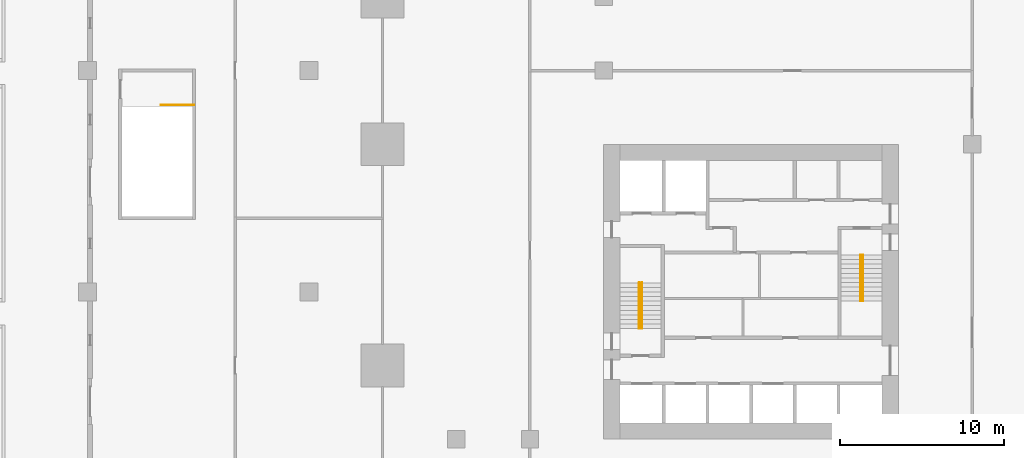
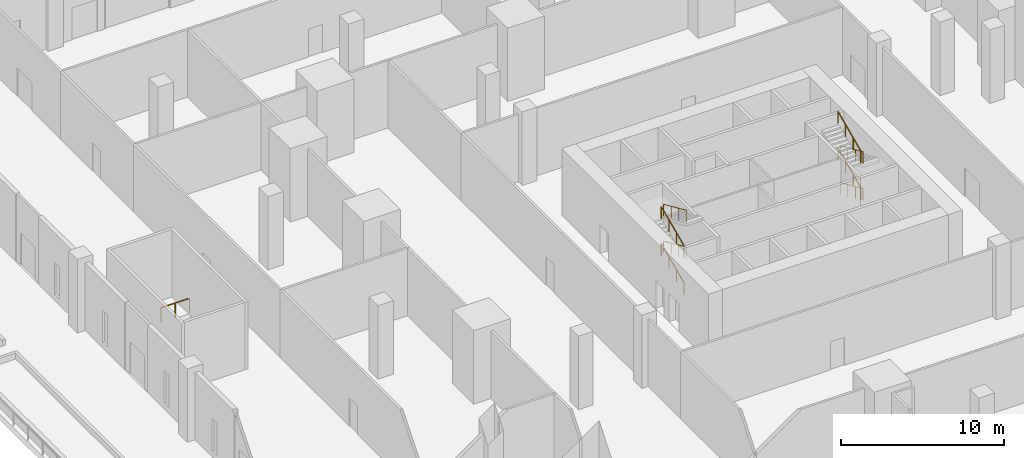
# One storey, part 42 of 47: 9 railings.
"""IFC4 building model written with IfcOpenShell, lengths in metres."""

from ifc_helpers import new_model, si_unit, direction, frame, origin, origin_2d, place, context, subcontext, project, spatial, circle, extrude, source, transform, mapped, material, type_object, element, save


model = new_model("IFC4")

# Units and contexts
model_context = context("Model", 3, precision=1e-05, world=origin(), true_north=direction((0.0, 1.0)))
body_context = subcontext(model_context, "Body", "Model", "MODEL_VIEW")
ifc_project = project(units=[si_unit("LENGTHUNIT", "METRE"), si_unit("AREAUNIT", "SQUARE_METRE"), si_unit("VOLUMEUNIT", "CUBIC_METRE"), si_unit("PLANEANGLEUNIT", "RADIAN"), si_unit("MASSUNIT", "GRAM", prefix="KILO")], contexts=[model_context])

# Site, building, storey
site_placement = place(None, origin())
site = spatial("IfcSite", under=ifc_project, at=site_placement, CompositionType="ELEMENT")
building_placement = place(site_placement, origin())
building = spatial("IfcBuilding", under=site, at=building_placement, Name="Altepetl Exchange Towers", CompositionType="ELEMENT")
storey_placement = place(building_placement, frame((0.0, 0.0, 6.0)))
storey = spatial("IfcBuildingStorey", under=building, at=storey_placement, Name="L01 Retail podium", CompositionType="ELEMENT", Elevation=6.0)

# Railings
ifc_material_1 = material(Name="Steel", Category="steel")
railing_type_1 = type_object("IfcRailingType", Name="Stair handrail 50 steel tube", PredefinedType="HANDRAIL", material=ifc_material_1)
shared_shape_1 = source(origin(), body_context, "Body", "SweptSolid", [
    extrude(circle(Radius=0.02099609375, at=origin_2d()), origin(), (0.0, 0.0, 1.0), 0.851806640625),
])
railing_1_placement = place(storey_placement, frame((42.669921875, 47.25, 0.125)))
element("IfcRailing", 1, at=railing_1_placement, inside=storey, type_object=railing_type_1, Name="Stair handrail", PredefinedType="HANDRAIL", context=body_context, shape_type="SweptSolid", body=[
    extrude(circle(Radius=0.02392578125, at=origin_2d()), frame((0.0, 0.0, 0.8759765625), z_axis=(0.0, 0.913140528594, 0.407644912931), x_axis=(-1.0, 0.0, 0.0)), (0.0, 0.0, 1.0), 3.06640625),
    mapped(shared_shape_1, transform((0.0, 0.0, 0.0))),
    mapped(shared_shape_1, transform((0.0, 0.933349609375, 0.416748046875))),
    mapped(shared_shape_1, transform((0.0, 1.86669921875, 0.833251953125))),
    mapped(shared_shape_1, transform((0.0, 2.800048828125, 1.25))),
])
railing_2_placement = place(storey_placement, frame((42.830078125, 50.050048828125, 1.5)))
element("IfcRailing", 2, at=railing_2_placement, inside=storey, type_object=railing_type_1, Name="Stair handrail", PredefinedType="HANDRAIL", context=body_context, shape_type="SweptSolid", body=[
    extrude(circle(Radius=0.02392578125, at=origin_2d()), frame((0.0, 0.0, 0.8759765625), z_axis=(0.0, -0.913140528594, 0.407644912931), x_axis=(1.0, 0.0, 0.0)), (0.0, 0.0, 1.0), 3.06640625),
    mapped(shared_shape_1, transform((0.0, 0.0, 0.0))),
    mapped(shared_shape_1, transform((0.0, -0.933349609375, 0.416748046875))),
    mapped(shared_shape_1, transform((0.0, -1.86669921875, 0.833251953125))),
    mapped(shared_shape_1, transform((0.0, -2.800048828125, 1.25))),
])
railing_3_placement = place(storey_placement, frame((42.669921875, 47.25, 2.875)))
element("IfcRailing", 3, at=railing_3_placement, inside=storey, type_object=railing_type_1, Name="Stair handrail", PredefinedType="HANDRAIL", context=body_context, shape_type="SweptSolid", body=[
    extrude(circle(Radius=0.02392578125, at=origin_2d()), frame((0.0, 0.0, 0.8759765625), z_axis=(0.0, 0.913140528594, 0.407644912931), x_axis=(-1.0, 0.0, 0.0)), (0.0, 0.0, 1.0), 3.06640625),
    mapped(shared_shape_1, transform((0.0, 0.0, 0.0))),
    mapped(shared_shape_1, transform((0.0, 0.933349609375, 0.416748046875))),
    mapped(shared_shape_1, transform((0.0, 1.86669921875, 0.833251953125))),
    mapped(shared_shape_1, transform((0.0, 2.800048828125, 1.25))),
])
for number, where, name in (
    (4, (42.830078125, 50.050048828125, 4.25), "Stair handrail"),
    (5, (56.330078125, 51.75, 0.125), "Stair handrail"),
):
    element("IfcRailing", number, at=place(storey_placement, frame(where)), inside=storey, type_object=railing_type_1, Name=name, PredefinedType="HANDRAIL", context=body_context, shape_type="SweptSolid", body=[
        extrude(circle(Radius=0.02392578125, at=origin_2d()), frame((0.0, 0.0, 0.8759765625), z_axis=(0.0, -0.913140528594, 0.407644912931), x_axis=(1.0, 0.0, 0.0)), (0.0, 0.0, 1.0), 3.06640625),
        mapped(shared_shape_1, transform((0.0, 0.0, 0.0))),
        mapped(shared_shape_1, transform((0.0, -0.933349609375, 0.416748046875))),
        mapped(shared_shape_1, transform((0.0, -1.86669921875, 0.833251953125))),
        mapped(shared_shape_1, transform((0.0, -2.800048828125, 1.25))),
    ])
railing_4_placement = place(storey_placement, frame((56.169921875, 48.949951171875, 1.5)))
element("IfcRailing", 6, at=railing_4_placement, inside=storey, type_object=railing_type_1, Name="Stair handrail", PredefinedType="HANDRAIL", context=body_context, shape_type="SweptSolid", body=[
    extrude(circle(Radius=0.02392578125, at=origin_2d()), frame((0.0, 0.0, 0.8759765625), z_axis=(0.0, 0.913140528594, 0.407644912931), x_axis=(-1.0, 0.0, 0.0)), (0.0, 0.0, 1.0), 3.06640625),
    mapped(shared_shape_1, transform((0.0, 0.0, 0.0))),
    mapped(shared_shape_1, transform((0.0, 0.933349609375, 0.416748046875))),
    mapped(shared_shape_1, transform((0.0, 1.86669921875, 0.833251953125))),
    mapped(shared_shape_1, transform((0.0, 2.800048828125, 1.25))),
])
railing_5_placement = place(storey_placement, frame((56.330078125, 51.75, 2.875)))
element("IfcRailing", 7, at=railing_5_placement, inside=storey, type_object=railing_type_1, Name="Stair handrail", PredefinedType="HANDRAIL", context=body_context, shape_type="SweptSolid", body=[
    extrude(circle(Radius=0.02392578125, at=origin_2d()), frame((0.0, 0.0, 0.8759765625), z_axis=(0.0, -0.913140528594, 0.407644912931), x_axis=(1.0, 0.0, 0.0)), (0.0, 0.0, 1.0), 3.06640625),
    mapped(shared_shape_1, transform((0.0, 0.0, 0.0))),
    mapped(shared_shape_1, transform((0.0, -0.933349609375, 0.416748046875))),
    mapped(shared_shape_1, transform((0.0, -1.86669921875, 0.833251953125))),
    mapped(shared_shape_1, transform((0.0, -2.800048828125, 1.25))),
])
railing_6_placement = place(storey_placement, frame((56.169921875, 48.949951171875, 4.25)))
element("IfcRailing", 8, at=railing_6_placement, inside=storey, type_object=railing_type_1, Name="Stair handrail", PredefinedType="HANDRAIL", context=body_context, shape_type="SweptSolid", body=[
    extrude(circle(Radius=0.02392578125, at=origin_2d()), frame((0.0, 0.0, 0.8759765625), z_axis=(0.0, 0.913140528594, 0.407644912931), x_axis=(-1.0, 0.0, 0.0)), (0.0, 0.0, 1.0), 3.06640625),
    mapped(shared_shape_1, transform((0.0, 0.0, 0.0))),
    mapped(shared_shape_1, transform((0.0, 0.933349609375, 0.416748046875))),
    mapped(shared_shape_1, transform((0.0, 1.86669921875, 0.833251953125))),
    mapped(shared_shape_1, transform((0.0, 2.800048828125, 1.25))),
])
ifc_material_2 = material(Name="Laminated glass and steel", Category="steel")
railing_type_2 = type_object("IfcRailingType", Name="Hall gallery guard 1100", PredefinedType="GUARDRAIL", material=ifc_material_2)
shared_shape_2 = source(origin(), body_context, "Body", "SweptSolid", [
    extrude(circle(Radius=0.02001953125, at=origin_2d()), origin(), (0.0, 0.0, 1.0), 1.050048828125),
])
railing_7_placement = place(storey_placement, frame((15.5, 60.89990234375, 0.0)))
element("IfcRailing", 9, at=railing_7_placement, inside=storey, type_object=railing_type_2, Name="rail:P:L01:PZ1top", PredefinedType="GUARDRAIL", context=body_context, shape_type="SweptSolid", body=[
    extrude(circle(Radius=0.02490234375, at=origin_2d()), frame((0.0, 0.0, 1.0751953125), z_axis=(-1.0, 0.0, 0.0), x_axis=(0.0, -1.0, 0.0)), (0.0, 0.0, 1.0), 2.02490234375),
    mapped(shared_shape_2, transform((0.0, 0.0, 0.0))),
    mapped(shared_shape_2, transform((-1.012451171875, 0.0, 0.0))),
    mapped(shared_shape_2, transform((-2.02490234375, 0.0, 0.0))),
])

save(model, "model.ifc")
